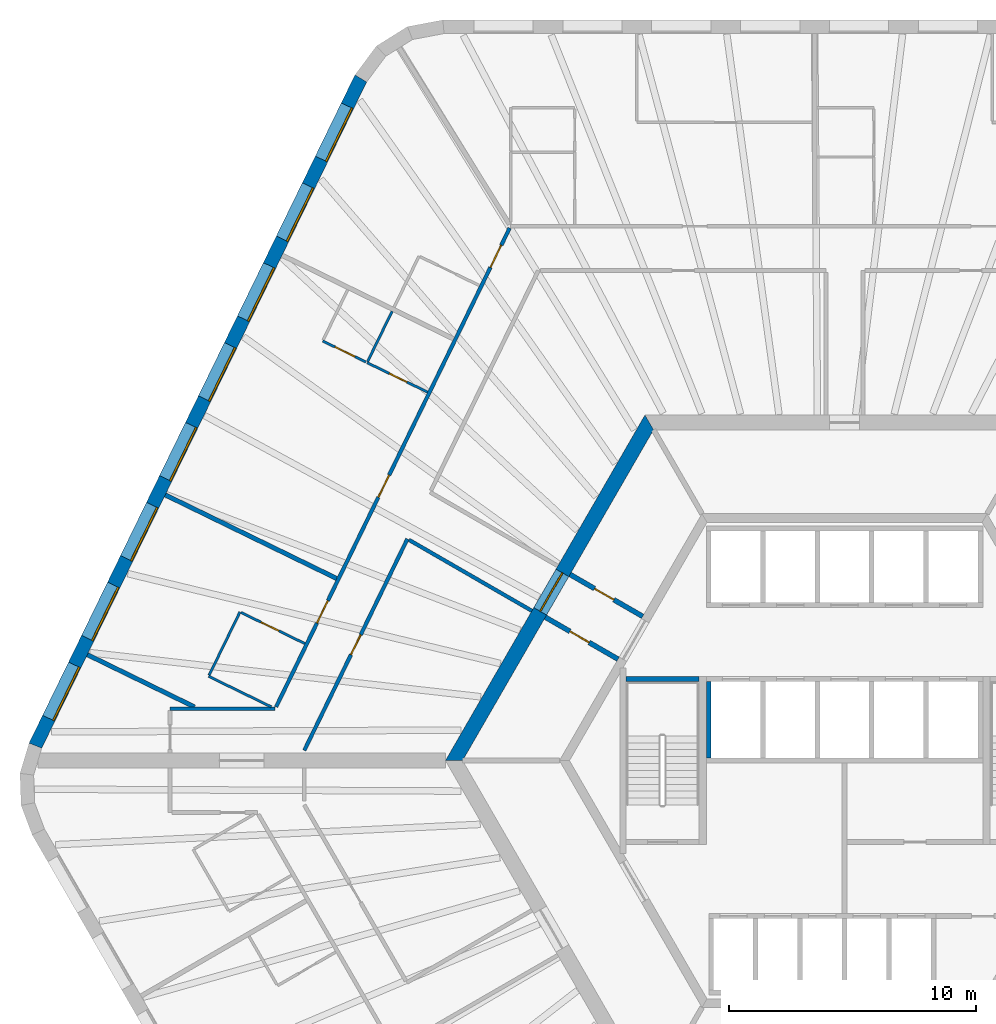
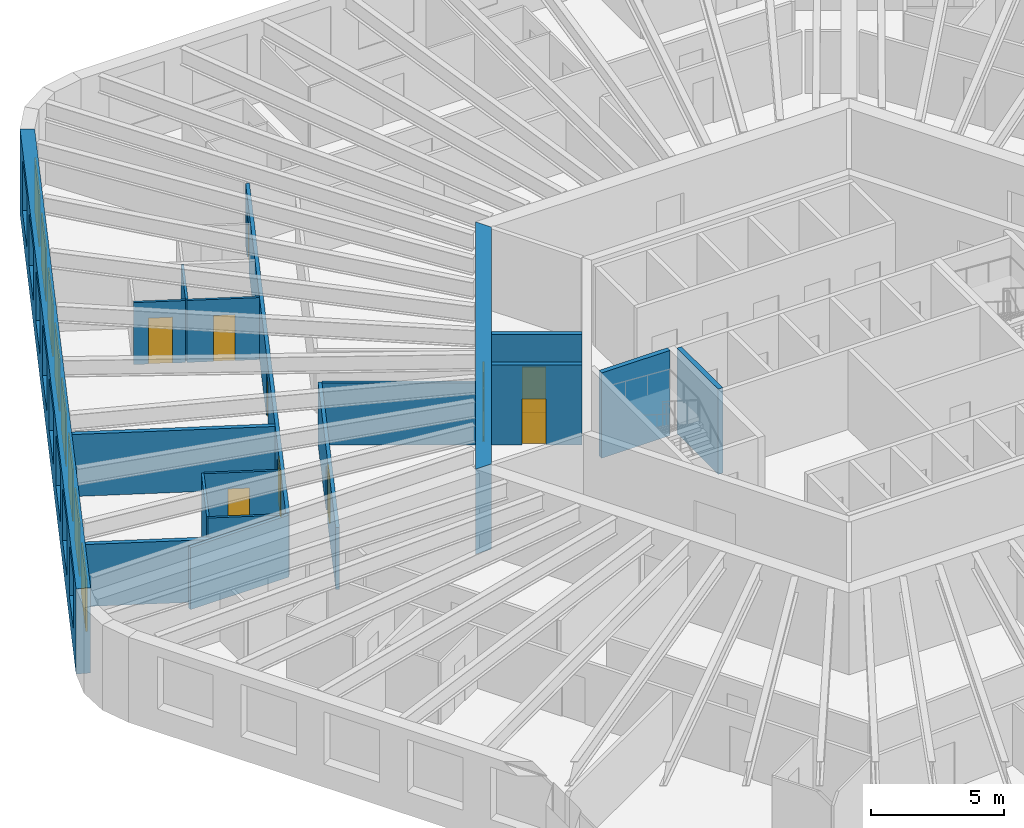
# One storey, part 7 of 12: 18 walls, 10 doors, 8 windows, 18 openings.
"""IFC4 building model written with IfcOpenShell, lengths in metres."""

from ifc_helpers import new_model, si_unit, direction, frame, frame_2d, origin, place, context, subcontext, project, spatial, polyline, rectangle, outline, extrude, material, layer, layer_set, type_object, element, fill, save


model = new_model("IFC4")

# Units and contexts
model_context = context("Model", 3, precision=1e-05, world=origin(), true_north=direction((0.0, 1.0)))
body_context = subcontext(model_context, "Body", "Model", "MODEL_VIEW")
ifc_project = project(units=[si_unit("LENGTHUNIT", "METRE"), si_unit("AREAUNIT", "SQUARE_METRE"), si_unit("VOLUMEUNIT", "CUBIC_METRE"), si_unit("PLANEANGLEUNIT", "RADIAN"), si_unit("MASSUNIT", "GRAM", prefix="KILO")], contexts=[model_context])

# Site, building, storey
site_placement = place(None, origin())
site = spatial("IfcSite", under=ifc_project, at=site_placement, CompositionType="ELEMENT")
building_placement = place(site_placement, origin())
building = spatial("IfcBuilding", under=site, at=building_placement, Name="Tarnside Tower", CompositionType="ELEMENT")
storey_placement = place(building_placement, frame((0.0, 0.0, 138.89990234375)))
storey = spatial("IfcBuildingStorey", under=building, at=storey_placement, Name="L32", CompositionType="ELEMENT", Elevation=138.89990234375)

# Wall, opening, door
ifc_material_1 = material(Name="Gypsum board partition on steel studs", Category="steel")
ifc_layer_1 = layer(ifc_material_1, 0.10009765625)
ifc_layer_set_1 = layer_set([ifc_layer_1], Name="Bathroom wall 100")
wall_type_1 = type_object("IfcWallType", Name="Bathroom wall 100", PredefinedType="PARTITIONING", material=ifc_layer_set_1)
wall_1_placement = place(storey_placement, frame((-16.89111328125, 14.92626953125, 0.0), z_axis=(0.0, 0.0, 1.0), x_axis=(-0.898791692788, 0.43837597217, 0.0)))
wall_1 = element("IfcWall", 1, at=wall_1_placement, inside=storey, type_object=wall_type_1, Name="Bathroom wall 10100", PredefinedType="PARTITIONING", context=body_context, shape_type="SweptSolid", body=[
    extrude(rectangle(XDim=2.72509765625, YDim=0.10009765625, at=frame_2d((1.362548828125, 0.0))), origin(), (0.0, 0.0, 1.0), 2.837890625),
])
opening_1_placement = place(wall_1_placement, frame((0.925048828125, 0.0, 0.0)))
opening_1 = element("IfcOpeningElement", 2, at=opening_1_placement, cuts=wall_1, Name="Opening D-B1", PredefinedType="OPENING", context=body_context, shape_type="SweptSolid", body=[
    extrude(rectangle(XDim=0.800048828125, YDim=2.10009765625, at=frame_2d((0.39990234375, 1.050048828125))), frame((0.0, 0.06005859375, 0.0), z_axis=(0.0, -1.0, 0.0), x_axis=(1.0, 0.0, 0.0)), (0.0, 0.0, 1.0), 0.1201171875),
])
ifc_material_2 = material(Name="Timber door leaf", Category="wood")
door_type_1 = type_object("IfcDoorType", Name="Bathroom door 800", OperationType="NOTDEFINED", PredefinedType="DOOR", material=ifc_material_2)
door_1_placement = place(opening_1_placement, origin())
door_1 = element("IfcDoor", 3, at=door_1_placement, inside=storey, type_object=door_type_1, Name="Bathroom door 10012", OperationType="SINGLE_SWING_RIGHT", OverallHeight=2.10009765625, OverallWidth=0.800048828125, PredefinedType="DOOR", context=body_context, shape_type="SweptSolid", body=[
    extrude(rectangle(XDim=0.800048828125, YDim=2.10009765625, at=frame_2d((0.39990234375, 1.050048828125))), frame((0.0, 0.02490234375, 0.0), z_axis=(0.0, -1.0, 0.0), x_axis=(1.0, 0.0, 0.0)), (0.0, 0.0, 1.0), 0.050048828125),
])
fill(opening_1, door_1)

# Walls
wall_2_placement = place(storey_placement, frame((-18.327880859375, 18.197021484375, 0.0), z_axis=(0.0, 0.0, 1.0), x_axis=(-0.438376807268, -0.898791285477, 0.0)))
element("IfcWall", 4, at=wall_2_placement, inside=storey, type_object=wall_type_1, Name="Bathroom wall 10104", PredefinedType="PARTITIONING", context=body_context, shape_type="SweptSolid", body=[
    extrude(rectangle(XDim=2.260009765625, YDim=0.10009765625, at=frame_2d((1.1298828125, 0.0))), origin(), (0.0, 0.0, 1.0), 2.837890625),
])
wall_3_placement = place(storey_placement, frame((-23.21728515625, 2.175048828125, 0.0), z_axis=(0.0, 0.0, 1.0), x_axis=(-0.89881903386, 0.438319910991, 0.0)))
element("IfcWall", 5, at=wall_3_placement, inside=storey, type_object=wall_type_1, Name="Bathroom wall 10105", PredefinedType="PARTITIONING", context=body_context, shape_type="SweptSolid", body=[
    extrude(rectangle(XDim=2.828857421875, YDim=0.10009765625, at=frame_2d((1.41455078125, 0.0))), origin(), (0.0, 0.0, 1.0), 2.837890625),
])
wall_4_placement = place(storey_placement, frame((-25.738037109375, 3.4599609375, 0.0), z_axis=(0.0, 0.0, 1.0), x_axis=(0.438317306369, 0.898820304031, 0.0)))
element("IfcWall", 6, at=wall_4_placement, inside=storey, type_object=wall_type_1, Name="Bathroom wall 10106", PredefinedType="PARTITIONING", context=body_context, shape_type="SweptSolid", body=[
    extrude(rectangle(XDim=2.85009765625, YDim=0.10009765625, at=frame_2d((1.425048828125, 0.0))), origin(), (0.0, 0.0, 1.0), 2.837890625),
])

# Wall, opening, door
wall_5_placement = place(storey_placement, frame((-24.44384765625, 5.999755859375, 0.0), z_axis=(0.0, 0.0, 1.0), x_axis=(0.898782318197, -0.438395192145, 0.0)))
wall_5 = element("IfcWall", 7, at=wall_5_placement, inside=storey, type_object=wall_type_1, Name="Bathroom wall 10107", PredefinedType="PARTITIONING", context=body_context, shape_type="SweptSolid", body=[
    extrude(rectangle(XDim=2.875244140625, YDim=0.10009765625, at=frame_2d((1.4375, 0.0))), origin(), (0.0, 0.0, 1.0), 2.837890625),
])
opening_2_placement = place(wall_5_placement, frame((0.89990234375, 0.0, 0.0)))
opening_2 = element("IfcOpeningElement", 8, at=opening_2_placement, cuts=wall_5, Name="Opening D-B1", PredefinedType="OPENING", context=body_context, shape_type="SweptSolid", body=[
    extrude(rectangle(XDim=0.800048828125, YDim=2.10009765625, at=frame_2d((0.39990234375, 1.050048828125))), frame((0.0, 0.06005859375, 0.0), z_axis=(0.0, -1.0, 0.0), x_axis=(1.0, 0.0, 0.0)), (0.0, 0.0, 1.0), 0.1201171875),
])
door_2_placement = place(opening_2_placement, origin())
door_2 = element("IfcDoor", 9, at=door_2_placement, inside=storey, type_object=door_type_1, Name="Bathroom door 10015", OperationType="SINGLE_SWING_RIGHT", OverallHeight=2.10009765625, OverallWidth=0.800048828125, PredefinedType="DOOR", context=body_context, shape_type="SweptSolid", body=[
    extrude(rectangle(XDim=0.800048828125, YDim=2.10009765625, at=frame_2d((0.39990234375, 1.050048828125))), frame((0.0, 0.02490234375, 0.0), z_axis=(0.0, -1.0, 0.0), x_axis=(1.0, 0.0, 0.0)), (0.0, 0.0, 1.0), 0.050048828125),
])
fill(opening_2, door_2)

ifc_material_3 = material(Name="Concrete C40/50", Category="concrete")
ifc_layer_2 = layer(ifc_material_3, 0.199951171875)
ifc_layer_set_2 = layer_set([ifc_layer_2], Name="Core room partition 200 C40/50")
wall_type_2 = type_object("IfcWallType", Name="Core room partition 200 C40/50", PredefinedType="PARTITIONING", material=ifc_layer_set_2)
wall_6_placement = place(storey_placement, frame((-9.1748046875, 4.10888671875, 0.0), z_axis=(0.0, 0.0, 1.0), x_axis=(-0.865989465428, 0.500062241894, 0.0)))
wall_6 = element("IfcWall", 10, at=wall_6_placement, inside=storey, type_object=wall_type_2, Name="L32 core partition AC1L", PredefinedType="PARTITIONING", context=body_context, shape_type="SweptSolid", body=[
    extrude(rectangle(XDim=3.39990234375, YDim=0.199951171875, at=frame_2d((1.699951171875, 0.0))), origin(), (0.0, 0.0, 1.0), 3.650146484375),
])
opening_3_placement = place(wall_6_placement, frame((1.3505859375, 0.0, 0.0)))
opening_3 = element("IfcOpeningElement", 11, at=opening_3_placement, cuts=wall_6, Name="Opening CD-room", PredefinedType="OPENING", context=body_context, shape_type="SweptSolid", body=[
    extrude(rectangle(XDim=0.89990234375, YDim=2.10009765625, at=frame_2d((0.449951171875, 1.050048828125))), frame((0.0, 0.10986328125, 0.0), z_axis=(0.0, -1.0, 0.0), x_axis=(1.0, 0.0, 0.0)), (0.0, 0.0, 1.0), 0.219970703125),
])
ifc_material_4 = material(Name="Steel fire door", Category="steel")
door_type_2 = type_object("IfcDoorType", Name="Room door FD60 900x2100", OperationType="NOTDEFINED", PredefinedType="DOOR", material=ifc_material_4)
door_3_placement = place(opening_3_placement, origin())
door_3 = element("IfcDoor", 12, at=door_3_placement, inside=storey, type_object=door_type_2, Name="L32 core room door AX1L", OperationType="SINGLE_SWING_LEFT", OverallHeight=2.10009765625, OverallWidth=0.89990234375, PredefinedType="DOOR", context=body_context, shape_type="SweptSolid", body=[
    extrude(rectangle(XDim=0.89990234375, YDim=2.10009765625, at=frame_2d((0.449951171875, 1.050048828125))), frame((0.0, 0.02490234375, 0.0), z_axis=(0.0, -1.0, 0.0), x_axis=(1.0, 0.0, 0.0)), (0.0, 0.0, 1.0), 0.050048828125),
])
fill(opening_3, door_3)

wall_7_placement = place(storey_placement, frame((-8.1748046875, 5.841064453125, 0.0), z_axis=(0.0, 0.0, 1.0), x_axis=(-0.866020560687, 0.500008388397, 0.0)))
wall_7 = element("IfcWall", 13, at=wall_7_placement, inside=storey, type_object=wall_type_2, Name="L32 core partition AC1R", PredefinedType="PARTITIONING", context=body_context, shape_type="SweptSolid", body=[
    extrude(rectangle(XDim=3.39990234375, YDim=0.199951171875, at=frame_2d((1.699951171875, 0.0))), origin(), (0.0, 0.0, 1.0), 3.650146484375),
])
opening_4_placement = place(wall_7_placement, frame((1.349609375, 0.0, 0.0)))
opening_4 = element("IfcOpeningElement", 14, at=opening_4_placement, cuts=wall_7, Name="Opening CD-room", PredefinedType="OPENING", context=body_context, shape_type="SweptSolid", body=[
    extrude(rectangle(XDim=0.89990234375, YDim=2.10009765625, at=frame_2d((0.449951171875, 1.050048828125))), frame((0.0, 0.10986328125, 0.0), z_axis=(0.0, -1.0, 0.0), x_axis=(1.0, 0.0, 0.0)), (0.0, 0.0, 1.0), 0.219970703125),
])
door_4_placement = place(opening_4_placement, origin())
door_4 = element("IfcDoor", 15, at=door_4_placement, inside=storey, type_object=door_type_2, Name="L32 core room door AX1R", OperationType="SINGLE_SWING_LEFT", OverallHeight=2.10009765625, OverallWidth=0.89990234375, PredefinedType="DOOR", context=body_context, shape_type="SweptSolid", body=[
    extrude(rectangle(XDim=0.89990234375, YDim=2.10009765625, at=frame_2d((0.449951171875, 1.050048828125))), frame((0.0, 0.02490234375, 0.0), z_axis=(0.0, -1.0, 0.0), x_axis=(1.0, 0.0, 0.0)), (0.0, 0.0, 1.0), 0.050048828125),
])
fill(opening_4, door_4)

ifc_material_5 = material(Name="Concrete C80/95", Category="concrete")
ifc_layer_3 = layer(ifc_material_5, 0.60009765625)
ifc_layer_set_3 = layer_set([ifc_layer_3], Name="Core wall Z1 600 C80/95")
wall_type_3 = type_object("IfcWallType", Name="Core wall Z1 600 C80/95", PredefinedType="SHEAR", material=ifc_layer_set_3)
wall_8_placement = place(storey_placement, frame((-7.90966796875, 13.699951171875, -0.14990234375), z_axis=(0.0, 0.0, 1.0), x_axis=(-0.499999880136, -0.866025472988, 0.0)))
wall_8 = element("IfcWall", 16, at=wall_8_placement, inside=storey, type_object=wall_type_3, Name="L32 core wall face 2", PredefinedType="SHEAR", context=body_context, shape_type="SweptSolid", body=[
    extrude(outline(polyline([(-0.17333984375, -0.300048828125), (15.99267578125, -0.300048828125), (15.64599609375, 0.300048828125), (0.17333984375, 0.300048828125), (-0.17333984375, -0.300048828125)])), origin(), (0.0, 0.0, 1.0), 3.89990234375),
])
opening_5_placement = place(wall_8_placement, frame((7.03857421875, 0.0, 0.14990234375)))
opening_5 = element("IfcOpeningElement", 17, at=opening_5_placement, cuts=wall_8, Name="Opening CD-LOB", PredefinedType="OPENING", context=body_context, shape_type="SweptSolid", body=[
    extrude(rectangle(XDim=1.800048828125, YDim=2.39990234375, at=frame_2d((0.89990234375, 1.199951171875))), frame((0.0, 0.31005859375, 0.0), z_axis=(0.0, -1.0, 0.0), x_axis=(1.0, 0.0, 0.0)), (0.0, 0.0, 1.0), 0.6201171875),
])
door_type_3 = type_object("IfcDoorType", Name="Lobby double door FD30S 1800x2400", OperationType="NOTDEFINED", PredefinedType="DOOR", material=ifc_material_4)
door_5_placement = place(opening_5_placement, origin())
door_5 = element("IfcDoor", 18, at=door_5_placement, inside=storey, type_object=door_type_3, Name="L32 core door P1", OperationType="DOUBLE_DOOR_SINGLE_SWING", OverallHeight=2.39990234375, OverallWidth=1.800048828125, PredefinedType="DOOR", context=body_context, shape_type="SweptSolid", body=[
    extrude(rectangle(XDim=1.800048828125, YDim=2.39990234375, at=frame_2d((0.89990234375, 1.199951171875))), frame((0.0, 0.02490234375, 0.0), z_axis=(0.0, -1.0, 0.0), x_axis=(1.0, 0.0, 0.0)), (0.0, 0.0, 1.0), 0.050048828125),
])
fill(opening_5, door_5)

# Wall, openings, doors
ifc_layer_4 = layer(ifc_material_1, 0.14990234375)
ifc_layer_set_4 = layer_set([ifc_layer_4], Name="Corridor wall 150 EI 60")
wall_type_4 = type_object("IfcWallType", Name="Corridor wall 150 EI 60", PredefinedType="PARTITIONING", material=ifc_layer_set_4)
wall_9_placement = place(storey_placement, frame((-13.56494140625, 21.574951171875, 0.0), z_axis=(0.0, 0.0, 1.0), x_axis=(-0.438378393111, -0.898790511996, 0.0)))
wall_9 = element("IfcWall", 19, at=wall_9_placement, inside=storey, type_object=wall_type_4, Name="Corridor wall 10007", PredefinedType="PARTITIONING", context=body_context, shape_type="SweptSolid", body=[
    extrude(rectangle(XDim=21.58447265625, YDim=0.14990234375, at=frame_2d((10.792236328125, 0.0))), origin(), (0.0, 0.0, 1.0), 2.837890625),
])
opening_6_placement = place(wall_9_placement, frame((0.775146484375, 0.0, 0.0)))
opening_6 = element("IfcOpeningElement", 20, at=opening_6_placement, cuts=wall_9, Name="Opening D-E1", PredefinedType="OPENING", context=body_context, shape_type="SweptSolid", body=[
    extrude(rectangle(XDim=1.0, YDim=2.10009765625, at=frame_2d((0.5, 1.050048828125))), frame((0.0, 0.0849609375, 0.0), z_axis=(0.0, -1.0, 0.0), x_axis=(1.0, 0.0, 0.0)), (0.0, 0.0, 1.0), 0.169921875),
])
opening_7_placement = place(wall_9_placement, frame((11.1337890625, 0.0, 0.0)))
opening_7 = element("IfcOpeningElement", 21, at=opening_7_placement, cuts=wall_9, Name="Opening D-E1", PredefinedType="OPENING", context=body_context, shape_type="SweptSolid", body=[
    extrude(rectangle(XDim=1.0, YDim=2.10009765625, at=frame_2d((0.5, 1.050048828125))), frame((0.0, 0.0849609375, 0.0), z_axis=(0.0, -1.0, 0.0), x_axis=(1.0, 0.0, 0.0)), (0.0, 0.0, 1.0), 0.169921875),
])
opening_8_placement = place(wall_9_placement, frame((16.80078125, 0.0, 0.0)))
opening_8 = element("IfcOpeningElement", 22, at=opening_8_placement, cuts=wall_9, Name="Opening D-E1", PredefinedType="OPENING", context=body_context, shape_type="SweptSolid", body=[
    extrude(rectangle(XDim=1.0, YDim=2.10009765625, at=frame_2d((0.5, 1.050048828125))), frame((0.0, 0.0849609375, 0.0), z_axis=(0.0, -1.0, 0.0), x_axis=(1.0, 0.0, 0.0)), (0.0, 0.0, 1.0), 0.169921875),
])
door_type_4 = type_object("IfcDoorType", Name="Unit entrance door 1000 FD30S", OperationType="NOTDEFINED", PredefinedType="DOOR", material=ifc_material_2)
door_6_placement = place(opening_6_placement, origin())
door_6 = element("IfcDoor", 23, at=door_6_placement, inside=storey, type_object=door_type_4, Name="Unit door 10009", OperationType="SINGLE_SWING_RIGHT", OverallHeight=2.10009765625, OverallWidth=1.0, PredefinedType="DOOR", context=body_context, shape_type="SweptSolid", body=[
    extrude(rectangle(XDim=1.0, YDim=2.10009765625, at=frame_2d((0.5, 1.050048828125))), frame((0.0, 0.02490234375, 0.0), z_axis=(0.0, -1.0, 0.0), x_axis=(1.0, 0.0, 0.0)), (0.0, 0.0, 1.0), 0.050048828125),
])
fill(opening_6, door_6)
door_7_placement = place(opening_7_placement, origin())
door_7 = element("IfcDoor", 24, at=door_7_placement, inside=storey, type_object=door_type_4, Name="Unit door 10011", OperationType="SINGLE_SWING_LEFT", OverallHeight=2.10009765625, OverallWidth=1.0, PredefinedType="DOOR", context=body_context, shape_type="SweptSolid", body=[
    extrude(rectangle(XDim=1.0, YDim=2.10009765625, at=frame_2d((0.5, 1.050048828125))), frame((0.0, 0.02490234375, 0.0), z_axis=(0.0, -1.0, 0.0), x_axis=(1.0, 0.0, 0.0)), (0.0, 0.0, 1.0), 0.050048828125),
])
fill(opening_7, door_7)
door_8_placement = place(opening_8_placement, origin())
door_8 = element("IfcDoor", 25, at=door_8_placement, inside=storey, type_object=door_type_4, Name="Unit door 10014", OperationType="SINGLE_SWING_RIGHT", OverallHeight=2.10009765625, OverallWidth=1.0, PredefinedType="DOOR", context=body_context, shape_type="SweptSolid", body=[
    extrude(rectangle(XDim=1.0, YDim=2.10009765625, at=frame_2d((0.5, 1.050048828125))), frame((0.0, 0.02490234375, 0.0), z_axis=(0.0, -1.0, 0.0), x_axis=(1.0, 0.0, 0.0)), (0.0, 0.0, 1.0), 0.050048828125),
])
fill(opening_8, door_8)

# Wall
wall_10_placement = place(storey_placement, frame((-23.0634765625, 2.10009765625, 0.0), z_axis=(0.0, 0.0, 1.0), x_axis=(-1.0, 0.0, 0.0)))
element("IfcWall", 26, at=wall_10_placement, inside=storey, type_object=wall_type_4, Name="Corridor wall 10011", PredefinedType="PARTITIONING", context=body_context, shape_type="SweptSolid", body=[
    extrude(rectangle(XDim=4.2568359375, YDim=0.14990234375, at=frame_2d((2.12841796875, 0.0))), origin(), (0.0, 0.0, 1.0), 2.837890625),
])

# Wall, opening, door
wall_11_placement = place(storey_placement, frame((-21.88525390625, 0.41015625, 0.0), z_axis=(0.0, 0.0, 1.0), x_axis=(0.43837064471, 0.898794291179, 0.0)))
wall_11 = element("IfcWall", 27, at=wall_11_placement, inside=storey, type_object=wall_type_4, Name="Corridor wall 10023", PredefinedType="PARTITIONING", context=body_context, shape_type="SweptSolid", body=[
    extrude(rectangle(XDim=9.53173828125, YDim=0.14990234375, at=frame_2d((4.765869140625, 0.0))), origin(), (0.0, 0.0, 1.0), 2.837890625),
])
opening_9_placement = place(wall_11_placement, frame((4.31591796875, 0.0, 0.0)))
opening_9 = element("IfcOpeningElement", 28, at=opening_9_placement, cuts=wall_11, Name="Opening D-S1", PredefinedType="OPENING", context=body_context, shape_type="SweptSolid", body=[
    extrude(rectangle(XDim=0.89990234375, YDim=2.10009765625, at=frame_2d((0.449951171875, 1.050048828125))), frame((0.0, 0.0849609375, 0.0), z_axis=(0.0, -1.0, 0.0), x_axis=(1.0, 0.0, 0.0)), (0.0, 0.0, 1.0), 0.169921875),
])
door_type_5 = type_object("IfcDoorType", Name="Service room door 900 FD30S", OperationType="NOTDEFINED", PredefinedType="DOOR", material=ifc_material_2)
door_9_placement = place(opening_9_placement, origin())
door_9 = element("IfcDoor", 29, at=door_9_placement, inside=storey, type_object=door_type_5, Name="Service door 10044", OperationType="SINGLE_SWING_RIGHT", OverallHeight=2.10009765625, OverallWidth=0.89990234375, PredefinedType="DOOR", context=body_context, shape_type="SweptSolid", body=[
    extrude(rectangle(XDim=0.89990234375, YDim=2.10009765625, at=frame_2d((0.449951171875, 1.050048828125))), frame((0.0, 0.02490234375, 0.0), z_axis=(0.0, -1.0, 0.0), x_axis=(1.0, 0.0, 0.0)), (0.0, 0.0, 1.0), 0.050048828125),
])
fill(opening_9, door_9)

# Walls
wall_12_placement = place(storey_placement, frame((-17.6416015625, 8.939697265625, 0.0), z_axis=(0.0, 0.0, 1.0), x_axis=(0.866017948234, -0.500012913169, 0.0)))
element("IfcWall", 30, at=wall_12_placement, inside=storey, type_object=wall_type_4, Name="Corridor wall 10024", PredefinedType="PARTITIONING", context=body_context, shape_type="SweptSolid", body=[
    extrude(rectangle(XDim=5.747802734375, YDim=0.14990234375, at=frame_2d((2.8740234375, 0.0))), origin(), (0.0, 0.0, 1.0), 2.837890625),
])
ifc_layer_5 = layer(ifc_material_1, 0.179931640625)
ifc_layer_set_5 = layer_set([ifc_layer_5], Name="Demising wall 180 EI 60")
wall_type_5 = type_object("IfcWallType", Name="Demising wall 180 EI 60", PredefinedType="PARTITIONING", material=ifc_layer_set_5)
wall_13_placement = place(storey_placement, frame((-27.5166015625, 10.762939453125, 0.0), z_axis=(0.0, 0.0, 1.0), x_axis=(0.898789402655, -0.438380667542, 0.0)))
element("IfcWall", 31, at=wall_13_placement, inside=storey, type_object=wall_type_5, Name="Demising wall 10103", PredefinedType="PARTITIONING", context=body_context, shape_type="SweptSolid", body=[
    extrude(rectangle(XDim=7.724853515625, YDim=0.179931640625, at=frame_2d((3.8623046875, 0.0))), origin(), (0.0, 0.0, 1.0), 2.837890625),
])
wall_14_placement = place(storey_placement, frame((-30.673095703125, 4.29150390625, 0.0), z_axis=(0.0, 0.0, 1.0), x_axis=(0.898812662672, -0.438332975512, 0.0)))
element("IfcWall", 32, at=wall_14_placement, inside=storey, type_object=wall_type_5, Name="Demising wall 10108", PredefinedType="PARTITIONING", context=body_context, shape_type="SweptSolid", body=[
    extrude(rectangle(XDim=4.828369140625, YDim=0.179931640625, at=frame_2d((2.4140625, 0.0))), origin(), (0.0, 0.0, 1.0), 2.837890625),
])
ifc_layer_6 = layer(ifc_material_3, 0.199951171875)
ifc_layer_set_6 = layer_set([ifc_layer_6], Name="Lift shaft wall 200 C40/50")
wall_type_6 = type_object("IfcWallType", Name="Lift shaft wall 200 C40/50", PredefinedType="SHEAR", material=ifc_layer_set_6)
wall_15_placement = place(storey_placement, frame((-5.5, 0.10009765625, -0.25), z_axis=(0.0, 0.0, 1.0), x_axis=(0.0, 1.0, 0.0)))
element("IfcWall", 33, at=wall_15_placement, inside=storey, type_object=wall_type_6, Name="L32 lift shaft partition R21", PredefinedType="SHEAR", context=body_context, shape_type="SweptSolid", body=[
    extrude(rectangle(XDim=3.099853515625, YDim=0.199951171875, at=frame_2d((1.5498046875, 0.0))), origin(), (0.0, 0.0, 1.0), 3.900146484375),
])
wall_16_placement = place(storey_placement, frame((-8.85009765625, 3.300048828125, -0.25), z_axis=(0.0, 0.0, 1.0), x_axis=(1.0, 0.0, 0.0)))
element("IfcWall", 34, at=wall_16_placement, inside=storey, type_object=wall_type_6, Name="L32 stair 2 enclosure cap wall n", PredefinedType="SHEAR", context=body_context, shape_type="SweptSolid", body=[
    extrude(rectangle(XDim=2.9501953125, YDim=0.199951171875, at=frame_2d((1.47509765625, 0.0))), origin(), (0.0, 0.0, 1.0), 3.900146484375),
])

# Wall, opening, door
ifc_layer_7 = layer(ifc_material_1, 0.10009765625)
ifc_layer_set_7 = layer_set([ifc_layer_7], Name="Partition 100")
wall_type_7 = type_object("IfcWallType", Name="Partition 100", PredefinedType="PARTITIONING", material=ifc_layer_set_7)
wall_17_placement = place(storey_placement, frame((-19.38525390625, 16.142822265625, 0.0), z_axis=(0.0, 0.0, 1.0), x_axis=(-0.898815368173, 0.438327427772, 0.0)))
wall_17 = element("IfcWall", 35, at=wall_17_placement, inside=storey, type_object=wall_type_7, Name="Partition wall 10101", PredefinedType="PARTITIONING", context=body_context, shape_type="SweptSolid", body=[
    extrude(rectangle(XDim=1.949951171875, YDim=0.10009765625, at=frame_2d((0.97509765625, 0.0))), origin(), (0.0, 0.0, 1.0), 2.837890625),
])
opening_10_placement = place(wall_17_placement, frame((0.5, 0.0, 0.0)))
opening_10 = element("IfcOpeningElement", 36, at=opening_10_placement, cuts=wall_17, Name="Opening D-I1", PredefinedType="OPENING", context=body_context, shape_type="SweptSolid", body=[
    extrude(rectangle(XDim=0.89990234375, YDim=2.10009765625, at=frame_2d((0.449951171875, 1.050048828125))), frame((0.0, 0.06005859375, 0.0), z_axis=(0.0, -1.0, 0.0), x_axis=(1.0, 0.0, 0.0)), (0.0, 0.0, 1.0), 0.1201171875),
])
door_type_6 = type_object("IfcDoorType", Name="Internal door 900", OperationType="NOTDEFINED", PredefinedType="DOOR", material=ifc_material_2)
door_10_placement = place(opening_10_placement, origin())
door_10 = element("IfcDoor", 37, at=door_10_placement, inside=storey, type_object=door_type_6, Name="Internal door 10013", OperationType="SINGLE_SWING_LEFT", OverallHeight=2.10009765625, OverallWidth=0.89990234375, PredefinedType="DOOR", context=body_context, shape_type="SweptSolid", body=[
    extrude(rectangle(XDim=0.89990234375, YDim=2.10009765625, at=frame_2d((0.449951171875, 1.050048828125))), frame((0.0, 0.02490234375, 0.0), z_axis=(0.0, -1.0, 0.0), x_axis=(1.0, 0.0, 0.0)), (0.0, 0.0, 1.0), 0.050048828125),
])
fill(opening_10, door_10)

# Wall, openings, windows
ifc_material_6 = material(Name="Facing brick", Category="masonry")
ifc_layer_8 = layer(ifc_material_6, 0.10205078125)
ifc_material_7 = material(Name="Concrete C60/75 precast", Category="concrete")
ifc_layer_9 = layer(ifc_material_7, 0.347900390625)
ifc_material_8 = material(Name="Mineral wool insulation")
ifc_layer_10 = layer(ifc_material_8, 0.10009765625)
ifc_layer_set_8 = layer_set([ifc_layer_8, ifc_layer_9, ifc_layer_10], Name="Tube wall 550 brick faced")
wall_type_8 = type_object("IfcWallType", Name="Tube wall 550 brick faced", PredefinedType="SOLIDWALL", material=ifc_layer_set_8)
wall_18_placement = place(storey_placement, frame((-19.5947265625, 27.6328125, -0.14990234375), z_axis=(0.0, 0.0, 1.0), x_axis=(-0.438368285794, -0.898795441694, 0.0)))
wall_18 = element("IfcWall", 38, at=wall_18_placement, inside=storey, type_object=wall_type_8, Name="Tube wall L32 F2 flush 04", PredefinedType="SOLIDWALL", context=body_context, shape_type="SweptSolid", body=[
    extrude(outline(polyline([(-0.025634765625, -0.27490234375), (30.09326171875, -0.27490234375), (30.04833984375, 0.27490234375), (0.025634765625, 0.27490234375), (-0.025634765625, -0.27490234375)])), origin(), (0.0, 0.0, 1.0), 3.89990234375),
])
opening_11_placement = place(wall_18_placement, frame((1.235595703125, 0.0, 1.050048828125)))
opening_11 = element("IfcOpeningElement", 39, at=opening_11_placement, cuts=wall_18, Name="Opening WH", PredefinedType="OPENING", context=body_context, shape_type="SweptSolid", body=[
    extrude(rectangle(XDim=2.39990234375, YDim=2.39990234375, at=frame_2d((1.199951171875, 1.199951171875))), frame((0.0, 0.28515625, 0.0), z_axis=(0.0, -1.0, 0.0), x_axis=(1.0, 0.0, 0.0)), (0.0, 0.0, 1.0), 0.570068359375),
])
opening_12_placement = place(wall_18_placement, frame((4.83544921875, 0.0, 1.050048828125)))
opening_12 = element("IfcOpeningElement", 40, at=opening_12_placement, cuts=wall_18, Name="Opening WH", PredefinedType="OPENING", context=body_context, shape_type="SweptSolid", body=[
    extrude(rectangle(XDim=2.39990234375, YDim=2.39990234375, at=frame_2d((1.199951171875, 1.199951171875))), frame((0.0, 0.28515625, 0.0), z_axis=(0.0, -1.0, 0.0), x_axis=(1.0, 0.0, 0.0)), (0.0, 0.0, 1.0), 0.570068359375),
])
opening_13_placement = place(wall_18_placement, frame((8.435546875, 0.0, 1.050048828125)))
opening_13 = element("IfcOpeningElement", 41, at=opening_13_placement, cuts=wall_18, Name="Opening WH", PredefinedType="OPENING", context=body_context, shape_type="SweptSolid", body=[
    extrude(rectangle(XDim=2.39990234375, YDim=2.39990234375, at=frame_2d((1.199951171875, 1.199951171875))), frame((0.0, 0.28515625, 0.0), z_axis=(0.0, -1.0, 0.0), x_axis=(1.0, 0.0, 0.0)), (0.0, 0.0, 1.0), 0.570068359375),
])
opening_14_placement = place(wall_18_placement, frame((12.035400390625, 0.0, 1.050048828125)))
opening_14 = element("IfcOpeningElement", 42, at=opening_14_placement, cuts=wall_18, Name="Opening WH", PredefinedType="OPENING", context=body_context, shape_type="SweptSolid", body=[
    extrude(rectangle(XDim=2.39990234375, YDim=2.39990234375, at=frame_2d((1.199951171875, 1.199951171875))), frame((0.0, 0.28515625, 0.0), z_axis=(0.0, -1.0, 0.0), x_axis=(1.0, 0.0, 0.0)), (0.0, 0.0, 1.0), 0.570068359375),
])
opening_15_placement = place(wall_18_placement, frame((15.635498046875, 0.0, 1.050048828125)))
opening_15 = element("IfcOpeningElement", 43, at=opening_15_placement, cuts=wall_18, Name="Opening WH", PredefinedType="OPENING", context=body_context, shape_type="SweptSolid", body=[
    extrude(rectangle(XDim=2.39990234375, YDim=2.39990234375, at=frame_2d((1.199951171875, 1.199951171875))), frame((0.0, 0.28515625, 0.0), z_axis=(0.0, -1.0, 0.0), x_axis=(1.0, 0.0, 0.0)), (0.0, 0.0, 1.0), 0.570068359375),
])
opening_16_placement = place(wall_18_placement, frame((19.235595703125, 0.0, 1.050048828125)))
opening_16 = element("IfcOpeningElement", 44, at=opening_16_placement, cuts=wall_18, Name="Opening WH", PredefinedType="OPENING", context=body_context, shape_type="SweptSolid", body=[
    extrude(rectangle(XDim=2.39990234375, YDim=2.39990234375, at=frame_2d((1.199951171875, 1.199951171875))), frame((0.0, 0.28515625, 0.0), z_axis=(0.0, -1.0, 0.0), x_axis=(1.0, 0.0, 0.0)), (0.0, 0.0, 1.0), 0.570068359375),
])
opening_17_placement = place(wall_18_placement, frame((22.83544921875, 0.0, 1.050048828125)))
opening_17 = element("IfcOpeningElement", 45, at=opening_17_placement, cuts=wall_18, Name="Opening WH", PredefinedType="OPENING", context=body_context, shape_type="SweptSolid", body=[
    extrude(rectangle(XDim=2.39990234375, YDim=2.39990234375, at=frame_2d((1.199951171875, 1.199951171875))), frame((0.0, 0.28515625, 0.0), z_axis=(0.0, -1.0, 0.0), x_axis=(1.0, 0.0, 0.0)), (0.0, 0.0, 1.0), 0.570068359375),
])
opening_18_placement = place(wall_18_placement, frame((26.435546875, 0.0, 1.050048828125)))
opening_18 = element("IfcOpeningElement", 46, at=opening_18_placement, cuts=wall_18, Name="Opening WH", PredefinedType="OPENING", context=body_context, shape_type="SweptSolid", body=[
    extrude(rectangle(XDim=2.39990234375, YDim=2.39990234375, at=frame_2d((1.199951171875, 1.199951171875))), frame((0.0, 0.28515625, 0.0), z_axis=(0.0, -1.0, 0.0), x_axis=(1.0, 0.0, 0.0)), (0.0, 0.0, 1.0), 0.570068359375),
])
ifc_material_9 = material(Name="Aluminium-framed double glazing", Category="aluminium")
window_type = type_object("IfcWindowType", Name="Hotel window 2400 x 2400", PartitioningType="DOUBLE_PANEL_VERTICAL", PredefinedType="WINDOW", material=ifc_material_9)
window_1_placement = place(opening_11_placement, frame((0.0, 0.205078125, 0.0)))
window_1 = element("IfcWindow", 47, at=window_1_placement, inside=storey, type_object=window_type, Name="E.WN.L32.F2.00", OverallHeight=2.39990234375, OverallWidth=2.39990234375, PartitioningType="DOUBLE_PANEL_VERTICAL", PredefinedType="WINDOW", context=body_context, shape_type="SweptSolid", body=[
    extrude(rectangle(XDim=2.39990234375, YDim=2.39990234375, at=frame_2d((1.199951171875, 1.199951171875))), frame((0.0, 0.030029296875, 0.0), z_axis=(0.0, -1.0, 0.0), x_axis=(1.0, 0.0, 0.0)), (0.0, 0.0, 1.0), 0.06005859375),
])
fill(opening_11, window_1)
window_2_placement = place(opening_12_placement, frame((0.0, 0.205078125, 0.0)))
window_2 = element("IfcWindow", 48, at=window_2_placement, inside=storey, type_object=window_type, Name="E.WN.L32.F2.01", OverallHeight=2.39990234375, OverallWidth=2.39990234375, PartitioningType="DOUBLE_PANEL_VERTICAL", PredefinedType="WINDOW", context=body_context, shape_type="SweptSolid", body=[
    extrude(rectangle(XDim=2.39990234375, YDim=2.39990234375, at=frame_2d((1.199951171875, 1.199951171875))), frame((0.0, 0.030029296875, 0.0), z_axis=(0.0, -1.0, 0.0), x_axis=(1.0, 0.0, 0.0)), (0.0, 0.0, 1.0), 0.06005859375),
])
fill(opening_12, window_2)
window_3_placement = place(opening_13_placement, frame((0.0, 0.205078125, 0.0)))
window_3 = element("IfcWindow", 49, at=window_3_placement, inside=storey, type_object=window_type, Name="E.WN.L32.F2.02", OverallHeight=2.39990234375, OverallWidth=2.39990234375, PartitioningType="DOUBLE_PANEL_VERTICAL", PredefinedType="WINDOW", context=body_context, shape_type="SweptSolid", body=[
    extrude(rectangle(XDim=2.39990234375, YDim=2.39990234375, at=frame_2d((1.199951171875, 1.199951171875))), frame((0.0, 0.030029296875, 0.0), z_axis=(0.0, -1.0, 0.0), x_axis=(1.0, 0.0, 0.0)), (0.0, 0.0, 1.0), 0.06005859375),
])
fill(opening_13, window_3)
window_4_placement = place(opening_14_placement, frame((0.0, 0.205078125, 0.0)))
window_4 = element("IfcWindow", 50, at=window_4_placement, inside=storey, type_object=window_type, Name="E.WN.L32.F2.03", OverallHeight=2.39990234375, OverallWidth=2.39990234375, PartitioningType="DOUBLE_PANEL_VERTICAL", PredefinedType="WINDOW", context=body_context, shape_type="SweptSolid", body=[
    extrude(rectangle(XDim=2.39990234375, YDim=2.39990234375, at=frame_2d((1.199951171875, 1.199951171875))), frame((0.0, 0.030029296875, 0.0), z_axis=(0.0, -1.0, 0.0), x_axis=(1.0, 0.0, 0.0)), (0.0, 0.0, 1.0), 0.06005859375),
])
fill(opening_14, window_4)
window_5_placement = place(opening_15_placement, frame((0.0, 0.205078125, 0.0)))
window_5 = element("IfcWindow", 51, at=window_5_placement, inside=storey, type_object=window_type, Name="E.WN.L32.F2.04", OverallHeight=2.39990234375, OverallWidth=2.39990234375, PartitioningType="DOUBLE_PANEL_VERTICAL", PredefinedType="WINDOW", context=body_context, shape_type="SweptSolid", body=[
    extrude(rectangle(XDim=2.39990234375, YDim=2.39990234375, at=frame_2d((1.199951171875, 1.199951171875))), frame((0.0, 0.030029296875, 0.0), z_axis=(0.0, -1.0, 0.0), x_axis=(1.0, 0.0, 0.0)), (0.0, 0.0, 1.0), 0.06005859375),
])
fill(opening_15, window_5)
window_6_placement = place(opening_16_placement, frame((0.0, 0.205078125, 0.0)))
window_6 = element("IfcWindow", 52, at=window_6_placement, inside=storey, type_object=window_type, Name="E.WN.L32.F2.05", OverallHeight=2.39990234375, OverallWidth=2.39990234375, PartitioningType="DOUBLE_PANEL_VERTICAL", PredefinedType="WINDOW", context=body_context, shape_type="SweptSolid", body=[
    extrude(rectangle(XDim=2.39990234375, YDim=2.39990234375, at=frame_2d((1.199951171875, 1.199951171875))), frame((0.0, 0.030029296875, 0.0), z_axis=(0.0, -1.0, 0.0), x_axis=(1.0, 0.0, 0.0)), (0.0, 0.0, 1.0), 0.06005859375),
])
fill(opening_16, window_6)
window_7_placement = place(opening_17_placement, frame((0.0, 0.205078125, 0.0)))
window_7 = element("IfcWindow", 53, at=window_7_placement, inside=storey, type_object=window_type, Name="E.WN.L32.F2.06", OverallHeight=2.39990234375, OverallWidth=2.39990234375, PartitioningType="DOUBLE_PANEL_VERTICAL", PredefinedType="WINDOW", context=body_context, shape_type="SweptSolid", body=[
    extrude(rectangle(XDim=2.39990234375, YDim=2.39990234375, at=frame_2d((1.199951171875, 1.199951171875))), frame((0.0, 0.030029296875, 0.0), z_axis=(0.0, -1.0, 0.0), x_axis=(1.0, 0.0, 0.0)), (0.0, 0.0, 1.0), 0.06005859375),
])
fill(opening_17, window_7)
window_8_placement = place(opening_18_placement, frame((0.0, 0.205078125, 0.0)))
window_8 = element("IfcWindow", 54, at=window_8_placement, inside=storey, type_object=window_type, Name="E.WN.L32.F2.07", OverallHeight=2.39990234375, OverallWidth=2.39990234375, PartitioningType="DOUBLE_PANEL_VERTICAL", PredefinedType="WINDOW", context=body_context, shape_type="SweptSolid", body=[
    extrude(rectangle(XDim=2.39990234375, YDim=2.39990234375, at=frame_2d((1.199951171875, 1.199951171875))), frame((0.0, 0.030029296875, 0.0), z_axis=(0.0, -1.0, 0.0), x_axis=(1.0, 0.0, 0.0)), (0.0, 0.0, 1.0), 0.06005859375),
])
fill(opening_18, window_8)

save(model, "model.ifc")
